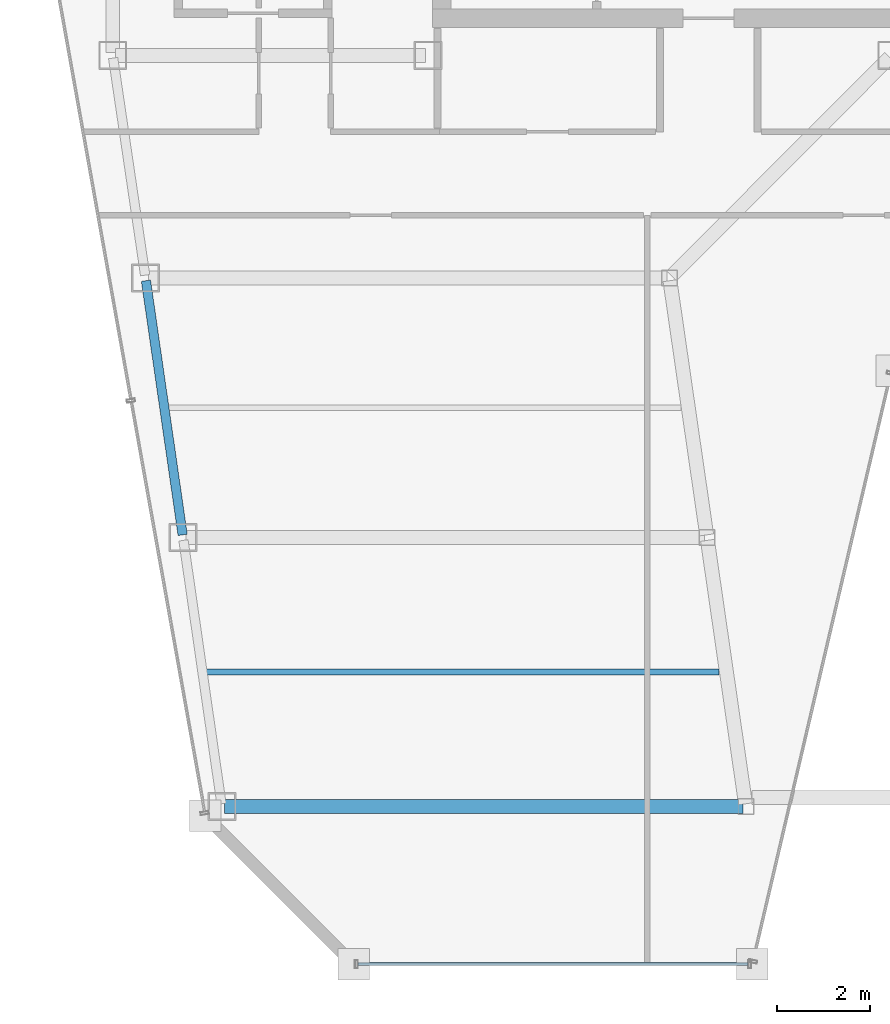
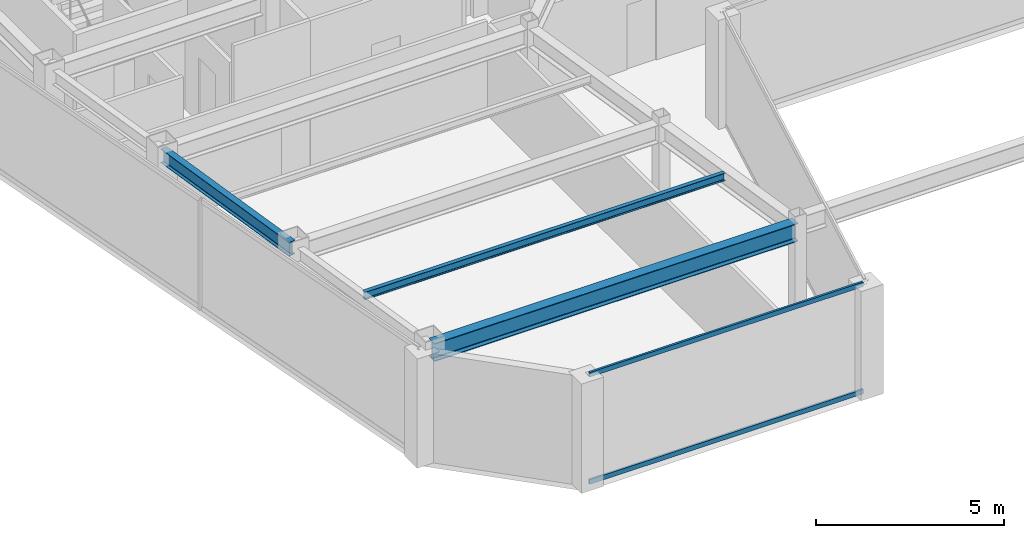
# One storey, part 4 of 32: 3 beams, 2 members, 1 element without a shape of its own.
"""IFC4 building model written with IfcOpenShell, lengths in metres."""

from ifc_helpers import new_model, si_unit, direction, frame, origin, origin_2d, place, context, subcontext, project, spatial, hollow_rectangle, i_section, extrude, material, material_profile, profile_set, type_object, element, aggregate, save


model = new_model("IFC4")

# Units and contexts
model_context = context("Model", 3, precision=1e-05, world=origin(), true_north=direction((0.0, 1.0)))
body_context = subcontext(model_context, "Body", "Model", "MODEL_VIEW")
ifc_project = project(units=[si_unit("LENGTHUNIT", "METRE"), si_unit("AREAUNIT", "SQUARE_METRE"), si_unit("VOLUMEUNIT", "CUBIC_METRE"), si_unit("PLANEANGLEUNIT", "RADIAN"), si_unit("MASSUNIT", "GRAM", prefix="KILO")], contexts=[model_context])

# Site, building, storey
site_placement = place(None, origin())
site = spatial("IfcSite", under=ifc_project, at=site_placement, CompositionType="ELEMENT")
building_placement = place(site_placement, origin())
building = spatial("IfcBuilding", under=site, at=building_placement, Name="Saevonmaru Cultural Tower", CompositionType="ELEMENT")
storey_placement = place(building_placement, frame((0.0, 0.0, 268.60009765625)))
storey = spatial("IfcBuildingStorey", under=building, at=storey_placement, Name="L63", CompositionType="ELEMENT", Elevation=268.60009765625)

# Beams
ifc_material_1 = material(Name="Steel SM355", Category="steel")
ifc_material_profile_1 = material_profile(ifc_material_1, i_section(OverallWidth=0.300048828125, OverallDepth=0.587890625, WebThickness=0.011962890625, FlangeThickness=0.02001953125, FilletRadius=0.02392578125, at=origin_2d()), Name="H-588x300x12x20")
ifc_profile_set_1 = profile_set([ifc_material_profile_1], Name="Steel SM355")
beam_type_1 = type_object("IfcBeamType", Name="BM-G-H588", PredefinedType="BEAM", material=ifc_profile_set_1)
beam_1_placement = place(storey_placement, frame((9.214111328125, 26.199951171875, 3.255859375), z_axis=(1.0, 0.0, 0.0), x_axis=(0.0, 1.0, 0.0)))
element("IfcBeam", 1, at=beam_1_placement, inside=storey, type_object=beam_type_1, Name="L63 West Wing Transverse Girder 1", PredefinedType="BEAM", context=body_context, shape_type="SweptSolid", body=[
    extrude(i_section(OverallWidth=0.300048828125, OverallDepth=0.587890625, WebThickness=0.011962890625, FlangeThickness=0.02001953125, FilletRadius=0.02392578125, at=origin_2d()), origin(), (0.0, 0.0, 1.0), 11.179931640625),
])
ifc_material_profile_2 = material_profile(ifc_material_1, i_section(OverallWidth=0.125, OverallDepth=0.25, WebThickness=0.006103515625, FlangeThickness=0.009033203125, FilletRadius=0.008056640625, at=origin_2d()), Name="H-250x125x6x9")
ifc_profile_set_2 = profile_set([ifc_material_profile_2], Name="Steel SM355")
beam_type_2 = type_object("IfcBeamType", Name="BM-J-H250", PredefinedType="JOIST", material=ifc_profile_set_2)
beam_2_placement = place(storey_placement, frame((8.79541015625, 29.10009765625, 3.4248046875), z_axis=(1.0, 0.0, 0.0), x_axis=(0.0, 1.0, 0.0)))
element("IfcBeam", 2, at=beam_2_placement, inside=storey, type_object=beam_type_2, Name="L63 West Wing Floor Joist 1", PredefinedType="JOIST", context=body_context, shape_type="SweptSolid", body=[
    extrude(i_section(OverallWidth=0.125, OverallDepth=0.25, WebThickness=0.006103515625, FlangeThickness=0.009033203125, FilletRadius=0.008056640625, at=origin_2d()), origin(), (0.0, 0.0, 1.0), 11.08203125),
])
ifc_material_profile_3 = material_profile(ifc_material_1, i_section(OverallWidth=0.199951171875, OverallDepth=0.449951171875, WebThickness=0.009033203125, FlangeThickness=0.013916015625, FilletRadius=0.01806640625, at=origin_2d()), Name="H-450x200x9x14")
ifc_profile_set_3 = profile_set([ifc_material_profile_3], Name="Steel SM355")
beam_type_3 = type_object("IfcBeamType", Name="BM-SP-H450", PredefinedType="SPANDREL", material=ifc_profile_set_3)
beam_3_placement = place(storey_placement, frame((8.308349609375, 32.059326171875, 3.324951171875), z_axis=(-0.142964121327, 0.989727871697, 0.0), x_axis=(-0.989727871697, -0.142964121327, 0.0)))
element("IfcBeam", 3, at=beam_3_placement, inside=storey, type_object=beam_type_3, Name="L63 West Splayed Spandrel 2", PredefinedType="SPANDREL", context=body_context, shape_type="SweptSolid", body=[
    extrude(i_section(OverallWidth=0.199951171875, OverallDepth=0.449951171875, WebThickness=0.009033203125, FlangeThickness=0.013916015625, FilletRadius=0.01806640625, at=origin_2d()), origin(), (0.0, 0.0, 1.0), 5.5380859375),
])

# Curtain wall, members
ifc_material_2 = material(Name="Satin Bronze Anodised Aluminium", Category="aluminium")
curtain_wall_type = type_object("IfcCurtainWallType", Name="CW-TYP-B", PredefinedType="NOTDEFINED", material=ifc_material_2)
curtain_wall_placement = place(storey_placement, origin())
curtain_wall = element("IfcCurtainWall", 4, at=curtain_wall_placement, inside=storey, type_object=curtain_wall_type, Name="L63 Unitised Curtain Wall E2", PredefinedType="NOTDEFINED")
ifc_material_profile_4 = material_profile(ifc_material_2, hollow_rectangle(XDim=0.06494140625, YDim=0.14990234375, WallThickness=0.00390625, at=origin_2d()), Name="ALU-TRAN-150x65x4")
ifc_profile_set_4 = profile_set([ifc_material_profile_4], Name="Satin Bronze Anodised Aluminium")
member_type = type_object("IfcMemberType", Name="TR-CW-150x65", PredefinedType="USERDEFINED", material=ifc_profile_set_4)
member_1_placement = place(storey_placement, frame((12.088134765625, 22.800048828125, 0.032470703125), z_axis=(1.0, 0.0, 0.0), x_axis=(0.0, 1.0, 0.0)))
member_1 = element("IfcMember", 5, at=member_1_placement, type_object=member_type, Name="CW-TW-L63-E2 transom 1.1", ObjectType="TRANSOM", PredefinedType="USERDEFINED", context=body_context, shape_type="SweptSolid", body=[
    extrude(hollow_rectangle(XDim=0.06494140625, YDim=0.14990234375, WallThickness=0.00390625, at=origin_2d()), origin(), (0.0, 0.0, 1.0), 8.4150390625),
])
member_2_placement = place(storey_placement, frame((12.088134765625, 22.800048828125, 3.517333984375), z_axis=(1.0, 0.0, 0.0), x_axis=(0.0, 1.0, 0.0)))
member_2 = element("IfcMember", 6, at=member_2_placement, type_object=member_type, Name="CW-TW-L63-E2 transom 1.2", ObjectType="TRANSOM", PredefinedType="USERDEFINED", context=body_context, shape_type="SweptSolid", body=[
    extrude(hollow_rectangle(XDim=0.06494140625, YDim=0.14990234375, WallThickness=0.00390625, at=origin_2d()), origin(), (0.0, 0.0, 1.0), 8.4150390625),
])
aggregate(curtain_wall, [member_1, member_2])

save(model, "model.ifc")
